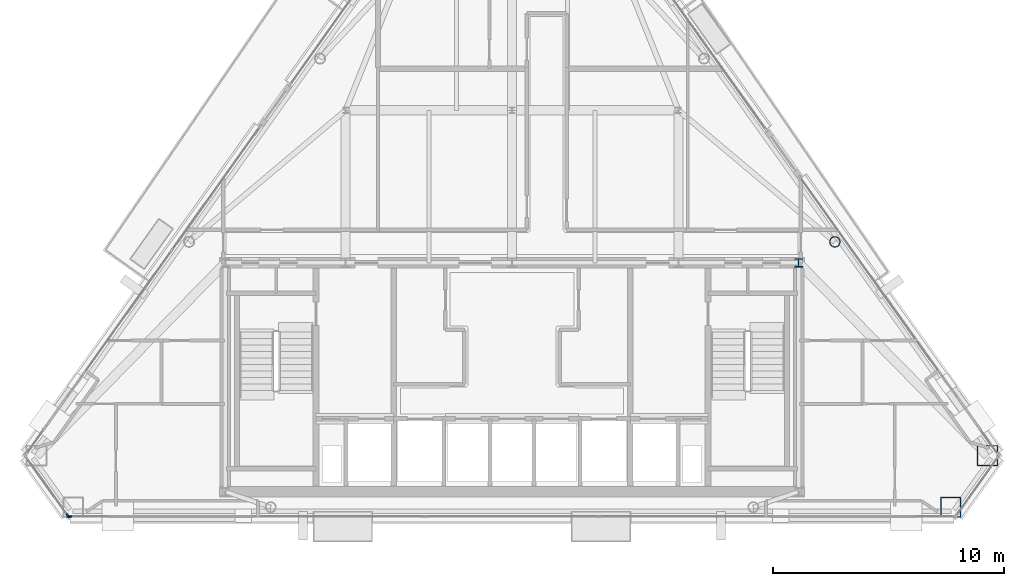
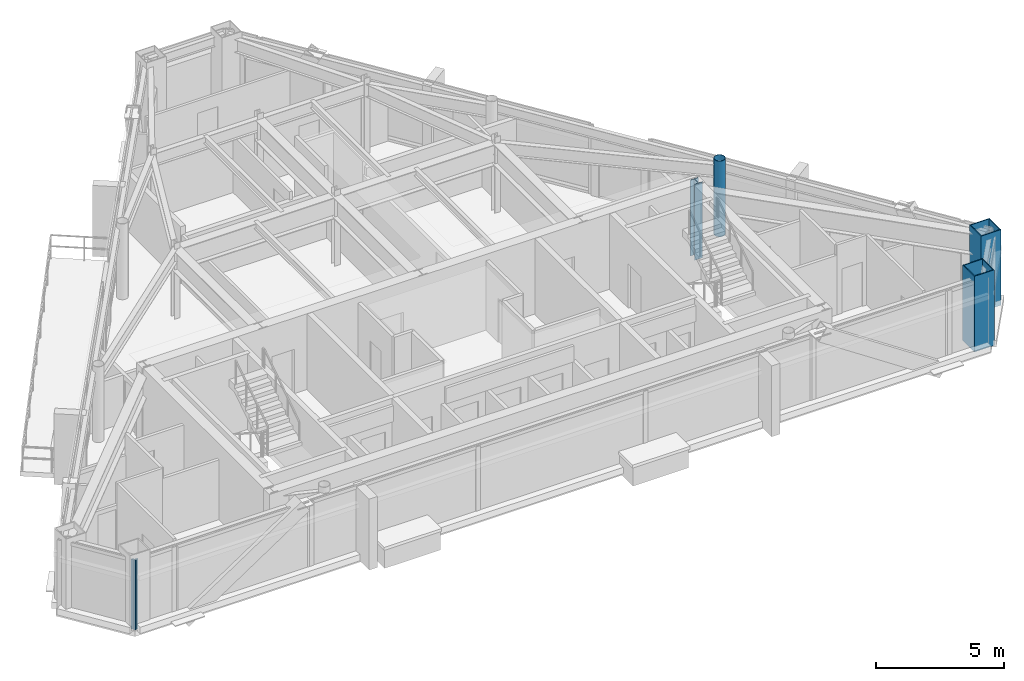
# One storey, part 3 of 12: 4 columns, 2 members, 2 elements without a shape of their own.
"""IFC4 building model written with IfcOpenShell, lengths in metres."""

from ifc_helpers import new_model, si_unit, direction, frame, origin, origin_2d, place, context, subcontext, project, spatial, rectangle, hollow_rectangle, hollow_circle, i_section, extrude, material, layer, layer_set, material_profile, profile_set, type_object, element, aggregate, save


model = new_model("IFC4")

# Units and contexts
model_context = context("Model", 3, precision=1e-05, world=origin(), true_north=direction((0.0, 1.0)))
body_context = subcontext(model_context, "Body", "Model", "MODEL_VIEW")
ifc_project = project(units=[si_unit("LENGTHUNIT", "METRE"), si_unit("AREAUNIT", "SQUARE_METRE"), si_unit("VOLUMEUNIT", "CUBIC_METRE"), si_unit("PLANEANGLEUNIT", "RADIAN"), si_unit("MASSUNIT", "GRAM", prefix="KILO")], contexts=[model_context])

# Site, building, storey
site_placement = place(None, origin())
site = spatial("IfcSite", under=ifc_project, at=site_placement, CompositionType="ELEMENT")
building_placement = place(site_placement, origin())
building = spatial("IfcBuilding", under=site, at=building_placement, Name="Talgorran Terracotta Tower", CompositionType="ELEMENT")
storey_placement = place(building_placement, frame((0.0, 0.0, 281.39990234375)))
storey = spatial("IfcBuildingStorey", under=building, at=storey_placement, Name="L74", CompositionType="ELEMENT", Elevation=281.39990234375)

# Columns
ifc_material_1 = material(Name="Steel S355 (300PLUS)", Category="steel")
ifc_material_profile_1 = material_profile(ifc_material_1, i_section(OverallWidth=0.35205078125, OverallDepth=0.35888671875, WebThickness=0.01806640625, FlangeThickness=0.02587890625, at=origin_2d()), Name="350WC197")
ifc_profile_set_1 = profile_set([ifc_material_profile_1], Name="Steel S355 (300PLUS)")
column_type_1 = type_object("IfcColumnType", Name="COL_350WC197", PredefinedType="COLUMN", material=ifc_profile_set_1)
column_1_placement = place(storey_placement, frame((12.39990234375, -4.199951171875, 0.0), z_axis=(0.0, 0.0, 1.0), x_axis=(1.0, 0.0, 0.0)))
element("IfcColumn", 1, at=column_1_placement, inside=storey, type_object=column_type_1, Name="L74 Core Boundary Column CC3", PredefinedType="COLUMN", context=body_context, shape_type="SweptSolid", body=[
    extrude(i_section(OverallWidth=0.35205078125, OverallDepth=0.35888671875, WebThickness=0.01806640625, FlangeThickness=0.02587890625, at=origin_2d()), origin(), (0.0, 0.0, 1.0), 3.60009765625),
])
ifc_material_2 = material(Name="Steel Grade 350 (350L0)", Category="steel")
ifc_material_profile_2 = material_profile(ifc_material_2, hollow_rectangle(XDim=0.89990234375, YDim=0.89990234375, WallThickness=0.0400390625, at=origin_2d()), Name="CFT900X900X40")
ifc_profile_set_2 = profile_set([ifc_material_profile_2], Name="Steel Grade 350 (350L0)")
column_type_2 = type_object("IfcColumnType", Name="COL_CFT_900", PredefinedType="COLUMN", material=ifc_profile_set_2)
for number, where, z_axis, x_axis, name in (
    (2, (18.984619140625, -14.7744140625, 0.0), (0.0, 0.0, 1.0), (1.0, 0.0, 0.0), "L74 Corner CFT Mega-Column MC3"),
    (3, (20.578857421875, -12.542724609375, 0.0), (0.0, 0.0, 1.0), (1.0, 0.0, 0.0), "L74 Corner CFT Mega-Column MC4"),
):
    element("IfcColumn", number, at=place(storey_placement, frame(where, z_axis=z_axis, x_axis=x_axis)), inside=storey, type_object=column_type_2, Name=name, PredefinedType="COLUMN", context=body_context, shape_type="SweptSolid", body=[
        extrude(hollow_rectangle(XDim=0.89990234375, YDim=0.89990234375, WallThickness=0.0400390625, at=origin_2d()), origin(), (0.0, 0.0, 1.0), 3.60009765625),
    ])
ifc_material_3 = material(Name="Steel S350 (C350L0)", Category="steel")
ifc_material_profile_3 = material_profile(ifc_material_3, hollow_circle(Radius=0.228515625, WallThickness=0.01611328125, at=origin_2d()), Name="CHS457X16")
ifc_profile_set_3 = profile_set([ifc_material_profile_3], Name="Steel S350 (C350L0)")
column_type_3 = type_object("IfcColumnType", Name="COL_CHS_457", PredefinedType="COLUMN", material=ifc_profile_set_3)
column_2_placement = place(storey_placement, frame((13.970458984375, -3.29150390625, 0.0), z_axis=(0.0, 0.0, 1.0), x_axis=(1.0, 0.0, 0.0)))
element("IfcColumn", 4, at=column_2_placement, inside=storey, type_object=column_type_3, Name="L74 Facet Perimeter Column FC3", PredefinedType="COLUMN", context=body_context, shape_type="SweptSolid", body=[
    extrude(hollow_circle(Radius=0.228515625, WallThickness=0.01611328125, at=origin_2d()), origin(), (0.0, 0.0, 1.0), 3.60009765625),
])

# Curtain wall, member
ifc_material_4 = material(Name="High-Wind Unitised Glazing", Category="glass")
ifc_layer = layer(ifc_material_4, 0.2099609375, Name="CW_SYS3_RES_HIGH")
ifc_layer_set = layer_set([ifc_layer], Name="High-Wind Unitised Glazing")
curtain_wall_type = type_object("IfcCurtainWallType", Name="CW_SYS3_RES_HIGH", PredefinedType="NOTDEFINED", material=ifc_layer_set)
curtain_wall_1_placement = place(storey_placement, origin())
curtain_wall_1 = element("IfcCurtainWall", 5, at=curtain_wall_1_placement, inside=storey, type_object=curtain_wall_type, Name="CW-L74-F0", PredefinedType="NOTDEFINED")
ifc_material_5 = material(Name="Architectural Aluminium 6063-T6", Category="aluminium")
ifc_material_profile_4 = material_profile(ifc_material_5, rectangle(XDim=0.070068359375, YDim=0.199951171875, at=origin_2d()), Name="CWM70X200")
ifc_profile_set_4 = profile_set([ifc_material_profile_4], Name="Architectural Aluminium 6063-T6")
member_type = type_object("IfcMemberType", Name="MUL_70X200", PredefinedType="MULLION", material=ifc_profile_set_4)
member_1_placement = place(storey_placement, frame((-19.2109375, -15.14599609375, 0.0), z_axis=(0.0, 0.0, 1.0), x_axis=(0.813720935413, 0.58125574343, 0.0)))
member_1 = element("IfcMember", 6, at=member_1_placement, type_object=member_type, Name="CW-L74-0 mullion 2", PredefinedType="MULLION", context=body_context, shape_type="SweptSolid", body=[
    extrude(rectangle(XDim=0.070068359375, YDim=0.199951171875, at=origin_2d()), origin(), (0.0, 0.0, 1.0), 3.320068359375),
])
aggregate(curtain_wall_1, [member_1])

curtain_wall_2_placement = place(storey_placement, origin())
curtain_wall_2 = element("IfcCurtainWall", 7, at=curtain_wall_2_placement, inside=storey, type_object=curtain_wall_type, Name="CW-L74-F1", PredefinedType="NOTDEFINED")
member_2_placement = place(storey_placement, frame((-19.155517578125, -15.17431640625, 0.0), z_axis=(0.0, 0.0, 1.0), x_axis=(0.0, 1.0, 0.0)))
member_2 = element("IfcMember", 8, at=member_2_placement, type_object=member_type, Name="CW-L74-1 mullion 1", PredefinedType="MULLION", context=body_context, shape_type="SweptSolid", body=[
    extrude(rectangle(XDim=0.070068359375, YDim=0.199951171875, at=origin_2d()), origin(), (0.0, 0.0, 1.0), 3.320068359375),
])
aggregate(curtain_wall_2, [member_2])

save(model, "model.ifc")
